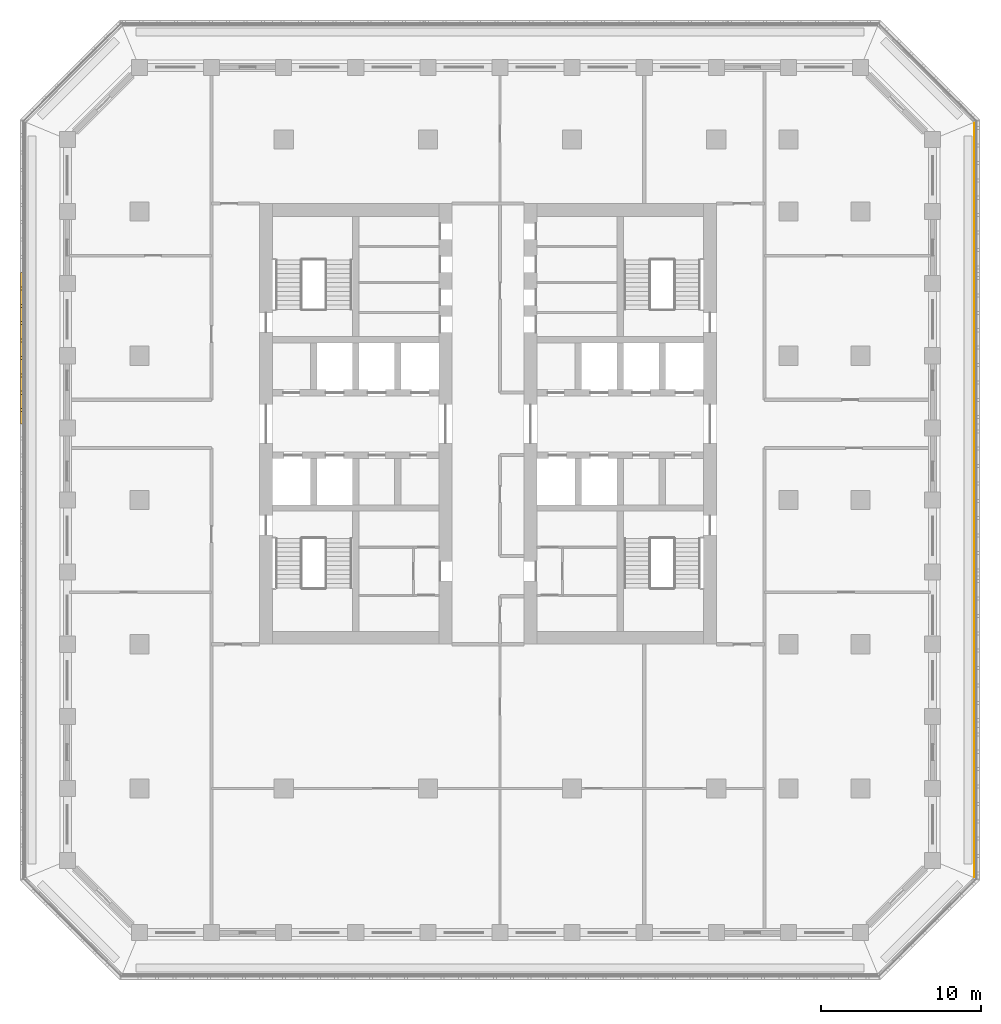
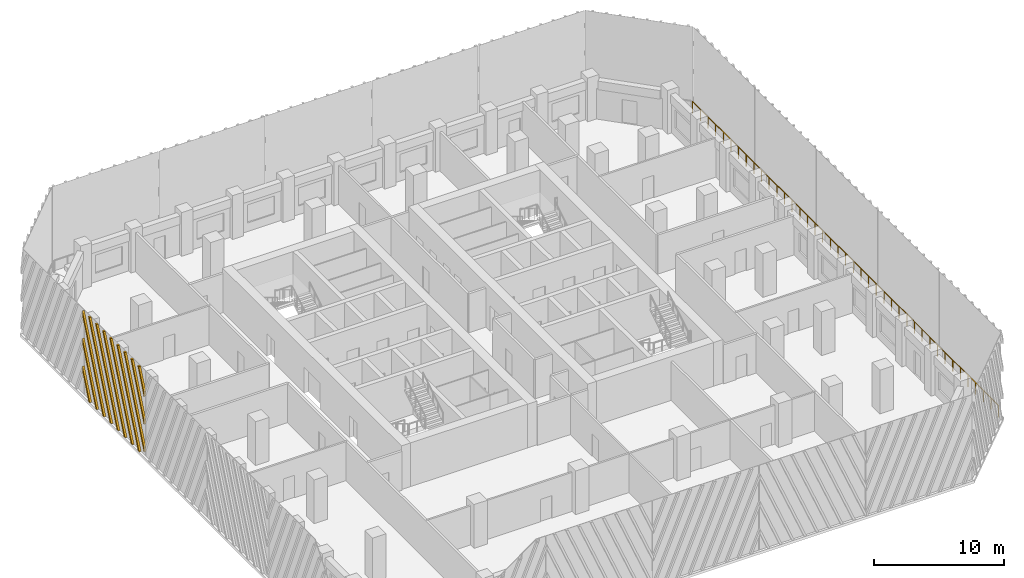
# One storey, part 12 of 16: 1 railing, 1 shading device.
"""IFC4 building model written with IfcOpenShell, lengths in metres."""

from ifc_helpers import new_model, si_unit, direction, frame, origin, origin_2d, place, context, subcontext, project, spatial, polyline, circle, outline, extrude, source, transform, mapped, material, type_object, element, save


model = new_model("IFC4")

# Units and contexts
model_context = context("Model", 3, precision=1e-05, world=origin(), true_north=direction((0.0, 1.0)))
body_context = subcontext(model_context, "Body", "Model", "MODEL_VIEW")
ifc_project = project(units=[si_unit("LENGTHUNIT", "METRE"), si_unit("AREAUNIT", "SQUARE_METRE"), si_unit("VOLUMEUNIT", "CUBIC_METRE"), si_unit("PLANEANGLEUNIT", "RADIAN"), si_unit("MASSUNIT", "GRAM", prefix="KILO")], contexts=[model_context])

# Site, building, storey
site_placement = place(None, origin())
site = spatial("IfcSite", under=ifc_project, at=site_placement, CompositionType="ELEMENT")
building_placement = place(site_placement, origin())
building = spatial("IfcBuilding", under=site, at=building_placement, Name="Corbel Stack Research Tower", CompositionType="ELEMENT")
storey_placement = place(building_placement, frame((0.0, 0.0, 199.699951171875)))
storey = spatial("IfcBuildingStorey", under=building, at=storey_placement, Name="L45", CompositionType="ELEMENT", Elevation=199.699951171875)

# Railing
ifc_material_1 = material(Name="Powder-coated steel guard", Category="steel")
railing_type = type_object("IfcRailingType", Name="Steel and glass guard 1100", PredefinedType="GUARDRAIL", material=ifc_material_1)
railing_placement = place(storey_placement, frame((34.10009765625, -23.50537109375, 0.0)))
element("IfcRailing", 1, at=railing_placement, inside=storey, type_object=railing_type, Name="Loggia guard L45 E", PredefinedType="GUARDRAIL", context=body_context, shape_type="SweptSolid", body=[
    extrude(circle(Radius=0.02392578125, at=origin_2d()), frame((0.0, 0.0, 1.076171875), z_axis=(0.0, 1.0, 0.0), x_axis=(-1.0, 0.0, 0.0)), (0.0, 0.0, 1.0), 47.0107421875),
    extrude(circle(Radius=0.02099609375, at=origin_2d()), origin(), (0.0, 0.0, 1.0), 1.052001953125),
    extrude(circle(Radius=0.02099609375, at=origin_2d()), frame((0.0, 1.17529296875, 0.0)), (0.0, 0.0, 1.0), 1.052001953125),
    extrude(circle(Radius=0.02099609375, at=origin_2d()), frame((0.0, 2.3505859375, 0.0)), (0.0, 0.0, 1.0), 1.052001953125),
    extrude(circle(Radius=0.02099609375, at=origin_2d()), frame((0.0, 3.52587890625, 0.0)), (0.0, 0.0, 1.0), 1.052001953125),
    extrude(circle(Radius=0.02099609375, at=origin_2d()), frame((0.0, 4.701171875, 0.0)), (0.0, 0.0, 1.0), 1.052001953125),
    extrude(circle(Radius=0.02099609375, at=origin_2d()), frame((0.0, 5.87646484375, 0.0)), (0.0, 0.0, 1.0), 1.052001953125),
    extrude(circle(Radius=0.02099609375, at=origin_2d()), frame((0.0, 7.051513671875, 0.0)), (0.0, 0.0, 1.0), 1.052001953125),
    extrude(circle(Radius=0.02099609375, at=origin_2d()), frame((0.0, 8.226806640625, 0.0)), (0.0, 0.0, 1.0), 1.052001953125),
    extrude(circle(Radius=0.02099609375, at=origin_2d()), frame((0.0, 9.402099609375, 0.0)), (0.0, 0.0, 1.0), 1.052001953125),
    extrude(circle(Radius=0.02099609375, at=origin_2d()), frame((0.0, 10.577392578125, 0.0)), (0.0, 0.0, 1.0), 1.052001953125),
    extrude(circle(Radius=0.02099609375, at=origin_2d()), frame((0.0, 11.752685546875, 0.0)), (0.0, 0.0, 1.0), 1.052001953125),
    extrude(circle(Radius=0.02099609375, at=origin_2d()), frame((0.0, 12.927978515625, 0.0)), (0.0, 0.0, 1.0), 1.052001953125),
    extrude(circle(Radius=0.02099609375, at=origin_2d()), frame((0.0, 14.103271484375, 0.0)), (0.0, 0.0, 1.0), 1.052001953125),
    extrude(circle(Radius=0.02099609375, at=origin_2d()), frame((0.0, 15.278564453125, 0.0)), (0.0, 0.0, 1.0), 1.052001953125),
    extrude(circle(Radius=0.02099609375, at=origin_2d()), frame((0.0, 16.453857421875, 0.0)), (0.0, 0.0, 1.0), 1.052001953125),
    extrude(circle(Radius=0.02099609375, at=origin_2d()), frame((0.0, 17.62890625, 0.0)), (0.0, 0.0, 1.0), 1.052001953125),
    extrude(circle(Radius=0.02099609375, at=origin_2d()), frame((0.0, 18.80419921875, 0.0)), (0.0, 0.0, 1.0), 1.052001953125),
    extrude(circle(Radius=0.02099609375, at=origin_2d()), frame((0.0, 19.9794921875, 0.0)), (0.0, 0.0, 1.0), 1.052001953125),
    extrude(circle(Radius=0.02099609375, at=origin_2d()), frame((0.0, 21.15478515625, 0.0)), (0.0, 0.0, 1.0), 1.052001953125),
    extrude(circle(Radius=0.02099609375, at=origin_2d()), frame((0.0, 22.330078125, 0.0)), (0.0, 0.0, 1.0), 1.052001953125),
    extrude(circle(Radius=0.02099609375, at=origin_2d()), frame((0.0, 23.50537109375, 0.0)), (0.0, 0.0, 1.0), 1.052001953125),
    extrude(circle(Radius=0.02099609375, at=origin_2d()), frame((0.0, 24.6806640625, 0.0)), (0.0, 0.0, 1.0), 1.052001953125),
    extrude(circle(Radius=0.02099609375, at=origin_2d()), frame((0.0, 25.85595703125, 0.0)), (0.0, 0.0, 1.0), 1.052001953125),
    extrude(circle(Radius=0.02099609375, at=origin_2d()), frame((0.0, 27.03125, 0.0)), (0.0, 0.0, 1.0), 1.052001953125),
    extrude(circle(Radius=0.02099609375, at=origin_2d()), frame((0.0, 28.20654296875, 0.0)), (0.0, 0.0, 1.0), 1.052001953125),
    extrude(circle(Radius=0.02099609375, at=origin_2d()), frame((0.0, 29.3818359375, 0.0)), (0.0, 0.0, 1.0), 1.052001953125),
    extrude(circle(Radius=0.02099609375, at=origin_2d()), frame((0.0, 30.556884765625, 0.0)), (0.0, 0.0, 1.0), 1.052001953125),
    extrude(circle(Radius=0.02099609375, at=origin_2d()), frame((0.0, 31.732177734375, 0.0)), (0.0, 0.0, 1.0), 1.052001953125),
    extrude(circle(Radius=0.02099609375, at=origin_2d()), frame((0.0, 32.907470703125, 0.0)), (0.0, 0.0, 1.0), 1.052001953125),
    extrude(circle(Radius=0.02099609375, at=origin_2d()), frame((0.0, 34.082763671875, 0.0)), (0.0, 0.0, 1.0), 1.052001953125),
    extrude(circle(Radius=0.02099609375, at=origin_2d()), frame((0.0, 35.258056640625, 0.0)), (0.0, 0.0, 1.0), 1.052001953125),
    extrude(circle(Radius=0.02099609375, at=origin_2d()), frame((0.0, 36.433349609375, 0.0)), (0.0, 0.0, 1.0), 1.052001953125),
    extrude(circle(Radius=0.02099609375, at=origin_2d()), frame((0.0, 37.608642578125, 0.0)), (0.0, 0.0, 1.0), 1.052001953125),
    extrude(circle(Radius=0.02099609375, at=origin_2d()), frame((0.0, 38.783935546875, 0.0)), (0.0, 0.0, 1.0), 1.052001953125),
    extrude(circle(Radius=0.02099609375, at=origin_2d()), frame((0.0, 39.959228515625, 0.0)), (0.0, 0.0, 1.0), 1.052001953125),
    extrude(circle(Radius=0.02099609375, at=origin_2d()), frame((0.0, 41.13427734375, 0.0)), (0.0, 0.0, 1.0), 1.052001953125),
    extrude(circle(Radius=0.02099609375, at=origin_2d()), frame((0.0, 42.3095703125, 0.0)), (0.0, 0.0, 1.0), 1.052001953125),
    extrude(circle(Radius=0.02099609375, at=origin_2d()), frame((0.0, 43.48486328125, 0.0)), (0.0, 0.0, 1.0), 1.052001953125),
    extrude(circle(Radius=0.02099609375, at=origin_2d()), frame((0.0, 44.66015625, 0.0)), (0.0, 0.0, 1.0), 1.052001953125),
    extrude(circle(Radius=0.02099609375, at=origin_2d()), frame((0.0, 45.83544921875, 0.0)), (0.0, 0.0, 1.0), 1.052001953125),
    extrude(circle(Radius=0.02099609375, at=origin_2d()), frame((0.0, 47.0107421875, 0.0)), (0.0, 0.0, 1.0), 1.052001953125),
])

# Shading device
ifc_material_2 = material(Name="Precast terracotta", Category="masonry")
shading_device_type = type_object("IfcShadingDeviceType", Name="Terracotta screen panel", PredefinedType="USERDEFINED", material=ifc_material_2)
shared_shape = source(origin(), body_context, "Body", "SweptSolid", [
    extrude(outline(polyline([(1.14453125, 0.0), (0.0, 2.740478515625), (0.0, 2.285400390625), (0.95458984375, 0.0), (1.14453125, 0.0)])), frame((0.0, 0.0, 0.0), z_axis=(0.0, -1.0, 0.0), x_axis=(1.0, 0.0, 0.0)), (0.0, 0.0, 1.0), 0.179931640625),
    extrude(outline(polyline([(2.22900390625, 0.0), (0.0, 5.337646484375), (0.0, 4.882568359375), (2.0390625, 0.0), (2.22900390625, 0.0)])), frame((0.0, 0.0, 0.0), z_axis=(0.0, -1.0, 0.0), x_axis=(1.0, 0.0, 0.0)), (0.0, 0.0, 1.0), 0.179931640625),
    extrude(outline(polyline([(3.313720703125, 0.0), (0.0, 7.934814453125), (0.0, 7.479736328125), (3.123779296875, 0.0), (3.313720703125, 0.0)])), frame((0.0, 0.0, 0.0), z_axis=(0.0, -1.0, 0.0), x_axis=(1.0, 0.0, 0.0)), (0.0, 0.0, 1.0), 0.179931640625),
    extrude(outline(polyline([(4.3984375, 0.0), (1.078369140625, 7.949951171875), (0.88818359375, 7.949951171875), (4.20849609375, 0.0), (4.3984375, 0.0)])), frame((0.0, 0.0, 0.0), z_axis=(0.0, -1.0, 0.0), x_axis=(1.0, 0.0, 0.0)), (0.0, 0.0, 1.0), 0.179931640625),
    extrude(outline(polyline([(5.483154296875, 0.0), (2.1630859375, 7.949951171875), (1.972900390625, 7.949951171875), (5.293212890625, 0.0), (5.483154296875, 0.0)])), frame((0.0, 0.0, 0.0), z_axis=(0.0, -1.0, 0.0), x_axis=(1.0, 0.0, 0.0)), (0.0, 0.0, 1.0), 0.179931640625),
    extrude(outline(polyline([(6.56787109375, 0.0), (3.24755859375, 7.949951171875), (3.0576171875, 7.949951171875), (6.377685546875, 0.0), (6.56787109375, 0.0)])), frame((0.0, 0.0, 0.0), z_axis=(0.0, -1.0, 0.0), x_axis=(1.0, 0.0, 0.0)), (0.0, 0.0, 1.0), 0.179931640625),
    extrude(outline(polyline([(7.652587890625, 0.0), (4.332275390625, 7.949951171875), (4.142333984375, 7.949951171875), (7.46240234375, 0.0), (7.652587890625, 0.0)])), frame((0.0, 0.0, 0.0), z_axis=(0.0, -1.0, 0.0), x_axis=(1.0, 0.0, 0.0)), (0.0, 0.0, 1.0), 0.179931640625),
    extrude(outline(polyline([(8.737060546875, 0.0), (5.4169921875, 7.949951171875), (5.22705078125, 7.949951171875), (8.547119140625, 0.0), (8.737060546875, 0.0)])), frame((0.0, 0.0, 0.0), z_axis=(0.0, -1.0, 0.0), x_axis=(1.0, 0.0, 0.0)), (0.0, 0.0, 1.0), 0.179931640625),
    extrude(outline(polyline([(6.501708984375, 7.949951171875), (6.3115234375, 7.949951171875), (9.45556640625, 0.421875), (9.45556640625, 0.876708984375), (6.501708984375, 7.949951171875)])), frame((0.0, 0.0, 0.0), z_axis=(0.0, -1.0, 0.0), x_axis=(1.0, 0.0, 0.0)), (0.0, 0.0, 1.0), 0.179931640625),
    extrude(outline(polyline([(7.586181640625, 7.949951171875), (7.396240234375, 7.949951171875), (9.45556640625, 3.01904296875), (9.45556640625, 3.473876953125), (7.586181640625, 7.949951171875)])), frame((0.0, 0.0, 0.0), z_axis=(0.0, -1.0, 0.0), x_axis=(1.0, 0.0, 0.0)), (0.0, 0.0, 1.0), 0.179931640625),
    extrude(outline(polyline([(8.6708984375, 7.949951171875), (8.48095703125, 7.949951171875), (9.45556640625, 5.6162109375), (9.45556640625, 6.071044921875), (8.6708984375, 7.949951171875)])), frame((0.0, 0.0, 0.0), z_axis=(0.0, -1.0, 0.0), x_axis=(1.0, 0.0, 0.0)), (0.0, 0.0, 1.0), 0.179931640625),
])
shading_device_placement = place(storey_placement, frame((-25.25, 14.18359375, 0.0), z_axis=(0.0, 0.0, 1.0), x_axis=(0.0, -1.0, 0.0)))
element("IfcShadingDevice", 2, at=shading_device_placement, inside=storey, type_object=shading_device_type, Name="Terracotta screen L45 W2", ObjectType="SCREEN", PredefinedType="USERDEFINED", context=body_context, shape_type="MappedRepresentation", body=[
    mapped(shared_shape, transform((0.0, 0.0, 0.0))),
])

save(model, "model.ifc")
